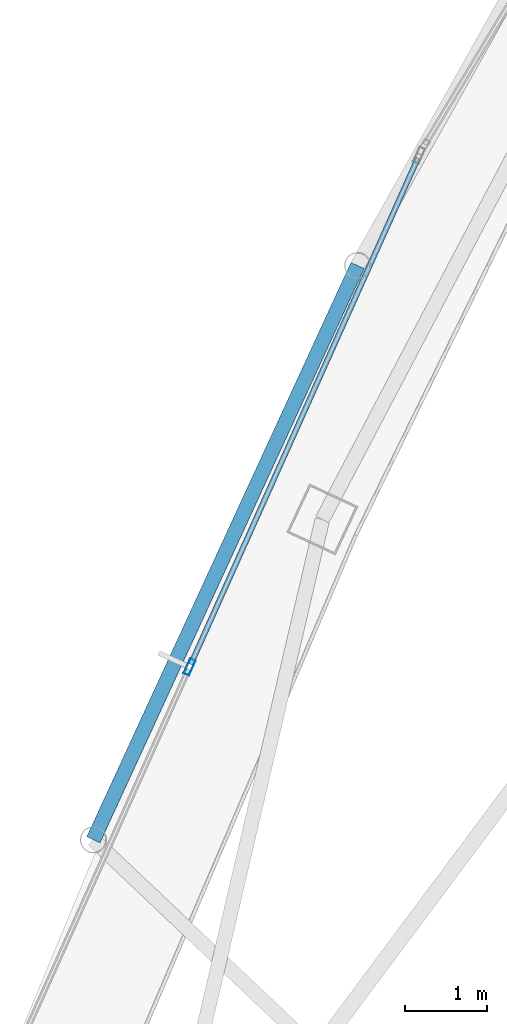
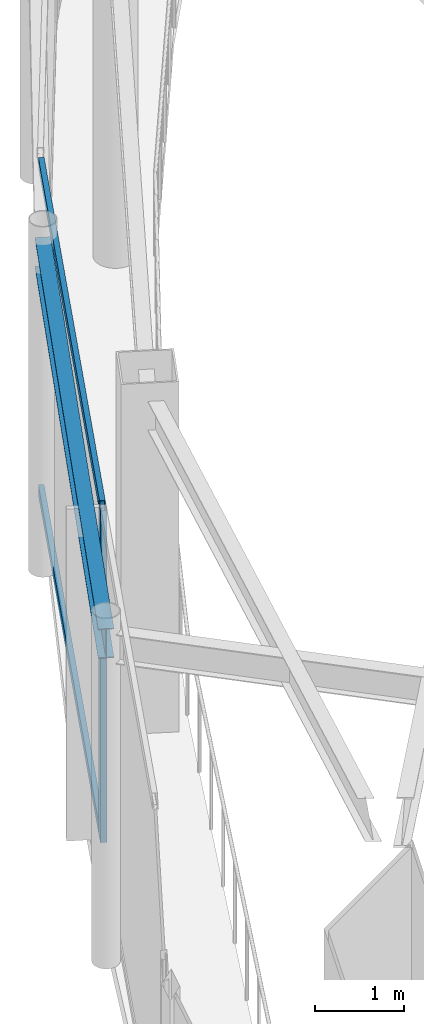
# One storey, part 4 of 19: 3 members, 1 beam, 1 element without a shape of its own.
"""IFC4 building model written with IfcOpenShell, lengths in metres."""

import ifcopenshell
import ifcopenshell.guid

model = None  # the IFC model being written
_history = None  # IfcOwnerHistory: only IFC2X3 demands one
_inside = {}  # id of a spatial element -> (the spatial element, [elements in it])
_under = {}  # id of a project, library or spatial element -> (it, [spatial elements below it])
_declared = {}  # id of a project -> (the project, [libraries it declares])
_typed = {}  # id of a type object -> (the type object, [elements of that type])
_made_of = {}  # id of a material, layer set ... -> (it, [elements and type objects made of it])


def new_model(schema):
    """Start an empty IFC model of exactly this schema.

    Asked for "IFC4X3", IfcOpenShell would pick the latest addendum, in which some entities
    have other attributes; the version numbers below select the first issue.
    IFC2X3 requires an IfcOwnerHistory on every rooted entity: one is made here for all.
    """
    global model, _history
    if schema == "IFC4X3":
        model = ifcopenshell.file(schema_version=(4, 3, 0, 0))
    else:
        model = ifcopenshell.file(schema=schema)
    _inside.clear()
    _under.clear()
    _declared.clear()
    _typed.clear()
    _made_of.clear()
    _history = None
    if model.schema == "IFC2X3":
        org = make("IfcOrganization", Name="unknown")
        user = make(
            "IfcPersonAndOrganization",
            ThePerson=make("IfcPerson", FamilyName="unknown"),
            TheOrganization=org,
        )
        app = make(
            "IfcApplication",
            ApplicationDeveloper=org,
            Version="unknown",
            ApplicationFullName="unknown",
            ApplicationIdentifier="unknown",
        )
        _history = make(
            "IfcOwnerHistory",
            OwningUser=user,
            OwningApplication=app,
            ChangeAction="ADDED",
            CreationDate=0,
        )
    return model


def make(cls, **values):
    """One entity of the class cls with the attributes given. An attribute that is None is left unset."""
    return model.create_entity(
        cls, **{name: value for name, value in values.items() if value is not None}
    )


def rooted(cls, **values):
    """An entity with a GlobalId (a new one), such as an element, a storey or a relation."""
    return make(cls, GlobalId=ifcopenshell.guid.new(), OwnerHistory=_history, **values)


def si_unit(unit_type, name, prefix=None):
    """IfcSIUnit, for example si_unit("LENGTHUNIT", "METRE", prefix="MILLI")."""
    return make("IfcSIUnit", UnitType=unit_type, Prefix=prefix, Name=name)


def assignment(units):
    """IfcUnitAssignment: the units of a project."""
    return None if units is None else make("IfcUnitAssignment", Units=units)


def point(xyz):
    """IfcCartesianPoint."""
    return None if xyz is None else make("IfcCartesianPoint", Coordinates=xyz)


def direction(xyz):
    """IfcDirection."""
    return None if xyz is None else make("IfcDirection", DirectionRatios=xyz)


def frame(location, z_axis=None, x_axis=None):
    """IfcAxis2Placement3D, a coordinate frame: its origin and axes. An axis left out is left unset."""
    return make(
        "IfcAxis2Placement3D",
        Location=point(location),
        Axis=direction(z_axis),
        RefDirection=direction(x_axis),
    )


def frame_2d(location, x_axis=None):
    """IfcAxis2Placement2D, a coordinate frame in the plane: its origin and x axis."""
    return make(
        "IfcAxis2Placement2D", Location=point(location), RefDirection=direction(x_axis)
    )


def origin():
    """The frame at (0, 0, 0) with its axes left unset."""
    return frame((0.0, 0.0, 0.0))


def origin_2d():
    """The frame at (0, 0) in the plane with its x axis left unset."""
    return frame_2d((0.0, 0.0))


def place(relative_to, where):
    """IfcLocalPlacement: puts the frame where relative to a parent placement (None: the world)."""
    return make(
        "IfcLocalPlacement", PlacementRelTo=relative_to, RelativePlacement=where
    )


def context(
    kind, dimensions, precision=None, world=None, true_north=None, identifier=None
):
    """IfcGeometricRepresentationContext, for example the 3D "Model" context."""
    return make(
        "IfcGeometricRepresentationContext",
        ContextIdentifier=identifier,
        ContextType=kind,
        CoordinateSpaceDimension=dimensions,
        Precision=precision,
        WorldCoordinateSystem=world,
        TrueNorth=true_north,
    )


def subcontext(parent, identifier, kind, view, scale=None):
    """IfcGeometricRepresentationSubContext, for example "Body" below "Model"."""
    return make(
        "IfcGeometricRepresentationSubContext",
        ContextIdentifier=identifier,
        ContextType=kind,
        ParentContext=parent,
        TargetScale=scale,
        TargetView=view,
    )


def project(units=None, contexts=None):
    """IfcProject with its units and contexts."""
    return rooted(
        "IfcProject",
        Name="project",
        RepresentationContexts=contexts,
        UnitsInContext=assignment(units),
    )


def spatial(cls, under=None, at=None, **own):
    """A site, building, storey or space (cls), placed at a placement, below another one or the project."""
    s = rooted(cls, ObjectPlacement=at, **own)
    if under is not None:
        _under.setdefault(under.id(), (under, []))[1].append(s)
    return s


def profile(cls, at=None, kind="AREA", **sizes):
    """A parametric profile (cls). Its sizes go by their IFC names, for example OverallWidth=200.0."""
    return make(cls, ProfileType=kind, Position=at, **sizes)


def hollow_rectangle(**sizes):
    """IfcRectangleHollowProfileDef."""
    return profile("IfcRectangleHollowProfileDef", **sizes)


def i_section(**sizes):
    """IfcIShapeProfileDef."""
    return profile("IfcIShapeProfileDef", **sizes)


def extrude(swept, where, along, depth):
    """IfcExtrudedAreaSolid: the profile swept, set in the frame where, extruded along a direction by depth."""
    return make(
        "IfcExtrudedAreaSolid",
        SweptArea=swept,
        Position=where,
        ExtrudedDirection=direction(along),
        Depth=depth,
    )


def shape(context_of_items, identifier, shape_type, items):
    """IfcShapeRepresentation: the items that make up one representation, for example the "Body"."""
    return make(
        "IfcShapeRepresentation",
        ContextOfItems=context_of_items,
        RepresentationIdentifier=identifier,
        RepresentationType=shape_type,
        Items=items,
    )


def material(Name=None, Category=None):
    """IfcMaterial."""
    return make("IfcMaterial", Name=Name, Category=Category)


def layer(
    of_material, thickness, ventilated=None, Name=None, Category=None, Priority=None
):
    """IfcMaterialLayer: one layer of a wall or slab, of a material (None: an air gap)."""
    return make(
        "IfcMaterialLayer",
        Material=of_material,
        LayerThickness=thickness,
        IsVentilated=ventilated,
        Name=Name,
        Category=Category,
        Priority=Priority,
    )


def layer_set(layers, Name=None):
    """IfcMaterialLayerSet."""
    return make("IfcMaterialLayerSet", MaterialLayers=layers, LayerSetName=Name)


def material_profile(
    of_material, cross_section, Name=None, Category=None, Priority=None
):
    """IfcMaterialProfile: a cross section and its material."""
    return make(
        "IfcMaterialProfile",
        Name=Name,
        Material=of_material,
        Profile=cross_section,
        Priority=Priority,
        Category=Category,
    )


def profile_set(profiles, Name=None, composite=None):
    """IfcMaterialProfileSet."""
    return make(
        "IfcMaterialProfileSet",
        Name=Name,
        MaterialProfiles=profiles,
        CompositeProfile=composite,
    )


def made_of(thing, what):
    """Note that an element or type object is made of a material, layer set ...; save() writes the relation."""
    if what is not None:
        _made_of.setdefault(what.id(), (what, []))[1].append(thing)
    return thing


def type_object(cls, material=None, **own):
    """A type object (cls), such as IfcWallType, which elements share."""
    return made_of(rooted(cls, **own), material)


def element(
    cls,
    number,
    at=None,
    inside=None,
    cuts=None,
    type_object=None,
    material=None,
    context=None,
    identifier="Body",
    shape_type=None,
    held_by="IfcProductDefinitionShape",
    body=None,
    shapes=None,
    **own,
):
    """One element of the class cls, such as IfcWall. Its Tag is "e" and its number.

    at: its placement. inside: the storey or other place that contains it. cuts: it is an
    opening in that element (IfcRelVoidsElement). A single representation is given by context,
    identifier, shape_type and body (its items); several are given by shapes. held_by: the class
    of the entity that holds the representations. save() writes the other relations.
    """
    e = rooted(cls, Tag="e%d" % number, ObjectPlacement=at, **own)
    if body is not None:
        shapes = [shape(context, identifier, shape_type, body)]
    if shapes is not None:
        e.Representation = make(held_by, Representations=shapes)
    if inside is not None:
        _inside.setdefault(inside.id(), (inside, []))[1].append(e)
    if cuts is not None:
        rooted(
            "IfcRelVoidsElement", RelatingBuildingElement=cuts, RelatedOpeningElement=e
        )
    if type_object is not None:
        _typed.setdefault(type_object.id(), (type_object, []))[1].append(e)
    return made_of(e, material)


def aggregate(whole, parts):
    """IfcRelAggregates: a whole, such as a stair, and the parts it consists of."""
    return rooted("IfcRelAggregates", RelatingObject=whole, RelatedObjects=parts)


def save(model, path):
    """Write the relations noted so far, then the file.

    IfcRelAggregates (storeys below a building ...), IfcRelContainedInSpatialStructure (elements
    in a storey), IfcRelDefinesByType, IfcRelAssociatesMaterial and IfcRelDeclares: one each for
    every whole, place, type object, material and project.
    """
    for whole, parts in _under.values():
        aggregate(whole, parts)
    for where, things in _inside.values():
        rooted(
            "IfcRelContainedInSpatialStructure",
            RelatedElements=things,
            RelatingStructure=where,
        )
    for kind, things in _typed.values():
        rooted("IfcRelDefinesByType", RelatedObjects=things, RelatingType=kind)
    for what, things in _made_of.values():
        rooted("IfcRelAssociatesMaterial", RelatedObjects=things, RelatingMaterial=what)
    for by, libraries in _declared.values():
        rooted("IfcRelDeclares", RelatingContext=by, RelatedDefinitions=libraries)
    model.write(path)


model = new_model("IFC4")

# Units and contexts
model_context = context("Model", 3, precision=1e-05, world=origin(), true_north=direction((0.0, 1.0)))
body_context = subcontext(model_context, "Body", "Model", "MODEL_VIEW")
ifc_project = project(units=[si_unit("LENGTHUNIT", "METRE"), si_unit("AREAUNIT", "SQUARE_METRE"), si_unit("VOLUMEUNIT", "CUBIC_METRE"), si_unit("PLANEANGLEUNIT", "RADIAN"), si_unit("MASSUNIT", "GRAM", prefix="KILO")], contexts=[model_context])

# Site, building, storey
site_placement = place(None, origin())
site = spatial("IfcSite", under=ifc_project, at=site_placement, CompositionType="ELEMENT")
building_placement = place(site_placement, origin())
building = spatial("IfcBuilding", under=site, at=building_placement, Name="Orvanel Arch Residences", CompositionType="ELEMENT")
storey_placement = place(building_placement, frame((0.0, 0.0, 286.10009765625)))
storey = spatial("IfcBuildingStorey", under=building, at=storey_placement, Name="L81", CompositionType="ELEMENT", Elevation=286.10009765625)

# Curtain wall, member
ifc_material_1 = material(Name="Bronze-anodised aluminium AA6063-T6", Category="aluminium")
ifc_layer = layer(ifc_material_1, 0.2099609375)
ifc_layer_set = layer_set([ifc_layer], Name="Bronze-anodised aluminium AA6063-T6")
curtain_wall_type = type_object("IfcCurtainWallType", Name="CW7-TOP-SYS", PredefinedType="NOTDEFINED", material=ifc_layer_set)
curtain_wall_placement = place(storey_placement, origin())
curtain_wall = element("IfcCurtainWall", 1, at=curtain_wall_placement, inside=storey, type_object=curtain_wall_type, Name="L81 CW7-TOP-SYS Unitised Curtain Wall", PredefinedType="NOTDEFINED")
ifc_material_profile_1 = material_profile(ifc_material_1, hollow_rectangle(XDim=0.074951171875, YDim=0.199951171875, WallThickness=0.0048828125, at=origin_2d()), Name="ALU200x75x5")
ifc_profile_set_1 = profile_set([ifc_material_profile_1], Name="Bronze-anodised aluminium AA6063-T6")
member_type_1 = type_object("IfcMemberType", Name="MUL-200x75", PredefinedType="MULLION", material=ifc_profile_set_1)
member_1_placement = place(storey_placement, frame((14.75, 17.845947265625, 0.0), z_axis=(0.0, 0.0, 1.0), x_axis=(0.912376147447, -0.40935286193, 0.0)))
member_1 = element("IfcMember", 2, at=member_1_placement, type_object=member_type_1, Name="CW-S7 mullion 2", PredefinedType="MULLION", context=body_context, shape_type="SweptSolid", body=[
    extrude(hollow_rectangle(XDim=0.074951171875, YDim=0.199951171875, WallThickness=0.0048828125, at=origin_2d()), origin(), (0.0, 0.0, 1.0), 4.5498046875),
])

# Beam
ifc_material_2 = material(Name="Structural steel AS/NZS 3679.1 Grade 300 (300 MPa)", Category="steel")
ifc_material_profile_2 = material_profile(ifc_material_2, i_section(OverallWidth=0.177978515625, OverallDepth=0.406005859375, WebThickness=0.0078125, FlangeThickness=0.0126953125, at=origin_2d()), Name="410UB59.7")
ifc_profile_set_2 = profile_set([ifc_material_profile_2], Name="Structural steel AS/NZS 3679.1 Grade 300 (300 MPa)")
beam_type = type_object("IfcBeamType", Name="OB-410UB-EXT", PredefinedType="SPANDREL", material=ifc_profile_set_2)
beam_placement = place(storey_placement, frame((16.794921875, 22.73388671875, 4.346923828125), z_axis=(-0.417937545069, -0.908475761054, 0.0), x_axis=(0.908475761054, -0.417937545069, 0.0)))
element("IfcBeam", 3, at=beam_placement, inside=storey, type_object=beam_type, Name="L81 Outer Perimeter Floor Ring Beam 03", PredefinedType="SPANDREL", context=body_context, shape_type="SweptSolid", body=[
    extrude(i_section(OverallWidth=0.177978515625, OverallDepth=0.406005859375, WebThickness=0.0078125, FlangeThickness=0.0126953125, at=origin_2d()), origin(), (0.0, 0.0, 1.0), 7.697509765625),
])

# Member
ifc_material_profile_3 = material_profile(ifc_material_1, hollow_rectangle(XDim=0.06494140625, YDim=0.14990234375, WallThickness=0.00390625, at=origin_2d()), Name="ALU150x65x4")
ifc_profile_set_3 = profile_set([ifc_material_profile_3], Name="Bronze-anodised aluminium AA6063-T6")
member_type_2 = type_object("IfcMemberType", Name="TRN-150x65", PredefinedType="USERDEFINED", material=ifc_profile_set_3)
member_2_placement = place(storey_placement, frame((17.529296875, 24.04052734375, 0.032470703125), z_axis=(-0.409346580659, -0.912378965618, 0.0), x_axis=(0.912378965618, -0.409346580659, 0.0)))
member_2 = element("IfcMember", 4, at=member_2_placement, type_object=member_type_2, Name="CW-S7 transom 1.1", ObjectType="TRANSOM", PredefinedType="USERDEFINED", context=body_context, shape_type="SweptSolid", body=[
    extrude(hollow_rectangle(XDim=0.06494140625, YDim=0.14990234375, WallThickness=0.00390625, at=origin_2d()), origin(), (0.0, 0.0, 1.0), 6.751953125),
])

member_3_placement = place(storey_placement, frame((17.529296875, 24.04052734375, 4.517333984375), z_axis=(-0.409346580659, -0.912378965618, 0.0), x_axis=(0.912378965618, -0.409346580659, 0.0)))
member_3 = element("IfcMember", 5, at=member_3_placement, type_object=member_type_2, Name="CW-S7 transom 1.2", ObjectType="TRANSOM", PredefinedType="USERDEFINED", context=body_context, shape_type="SweptSolid", body=[
    extrude(hollow_rectangle(XDim=0.06494140625, YDim=0.14990234375, WallThickness=0.00390625, at=origin_2d()), origin(), (0.0, 0.0, 1.0), 6.751953125),
])

aggregate(curtain_wall, [member_1, member_2, member_3])

save(model, "model.ifc")
